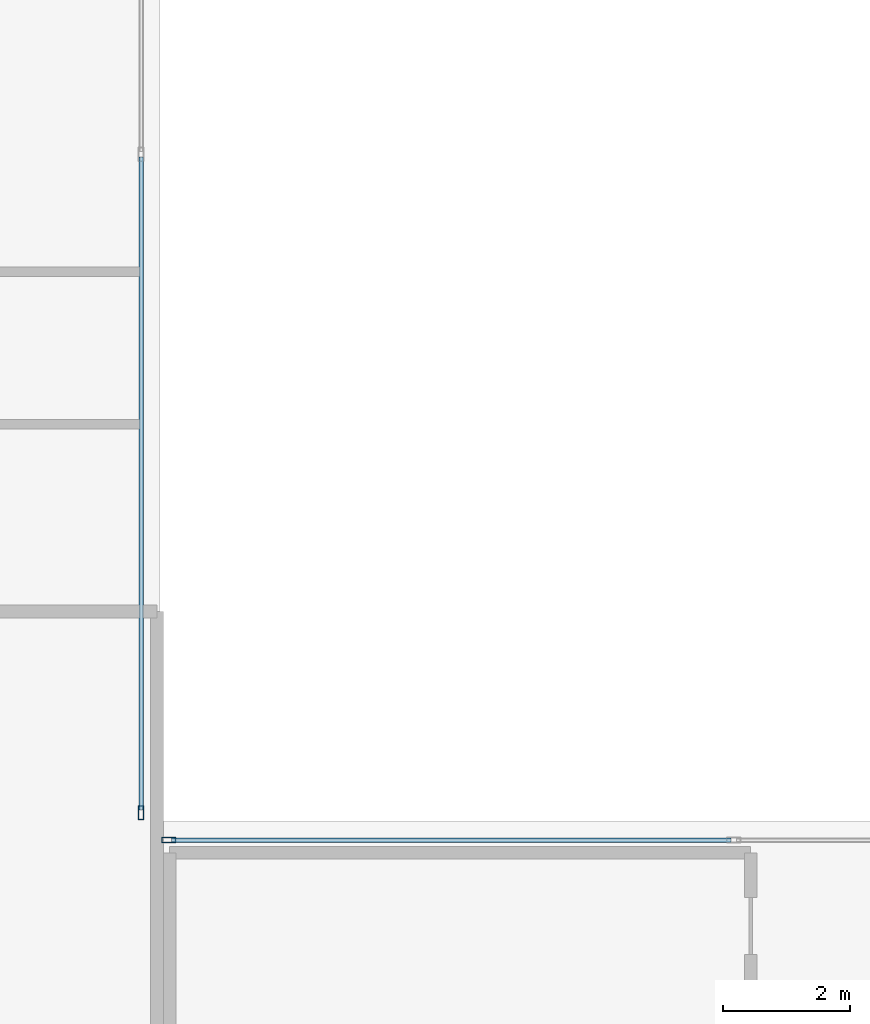
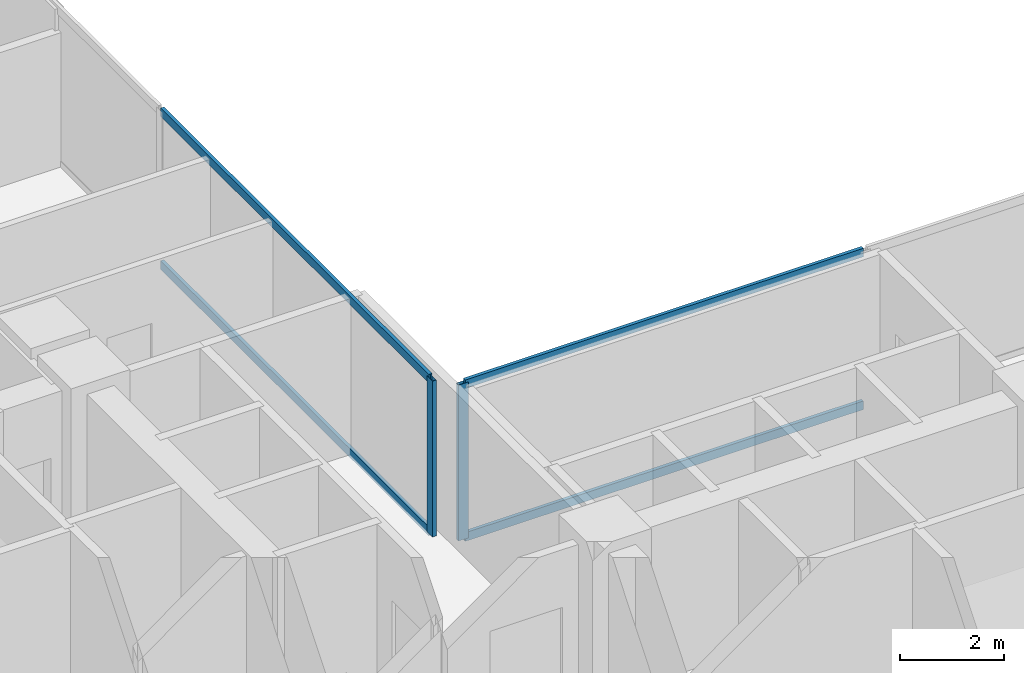
# One storey, part 7 of 27: 6 members, 2 elements without a shape of their own.
"""IFC4 building model written with IfcOpenShell, lengths in metres."""

from ifc_helpers import new_model, si_unit, direction, frame, origin, origin_2d, place, context, subcontext, project, spatial, hollow_rectangle, extrude, material, layer, layer_set, material_profile, profile_set, type_object, element, aggregate, save


model = new_model("IFC4")

# Units and contexts
model_context = context("Model", 3, precision=1e-05, world=origin(), true_north=direction((0.0, 1.0)))
body_context = subcontext(model_context, "Body", "Model", "MODEL_VIEW")
ifc_project = project(units=[si_unit("LENGTHUNIT", "METRE"), si_unit("AREAUNIT", "SQUARE_METRE"), si_unit("VOLUMEUNIT", "CUBIC_METRE"), si_unit("PLANEANGLEUNIT", "RADIAN"), si_unit("MASSUNIT", "GRAM", prefix="KILO"), si_unit("THERMODYNAMICTEMPERATUREUNIT", "KELVIN"), si_unit("POWERUNIT", "WATT")], contexts=[model_context])

# Site, building, storey
site_placement = place(None, origin())
site = spatial("IfcSite", under=ifc_project, at=site_placement, CompositionType="ELEMENT")
building_placement = place(site_placement, origin())
building = spatial("IfcBuilding", under=site, at=building_placement, Name="Svarakhadi Broadcast Tower", CompositionType="ELEMENT")
storey_placement = place(building_placement, frame((0.0, 0.0, 71.39990234375)))
storey = spatial("IfcBuildingStorey", under=building, at=storey_placement, Name="L16", CompositionType="ELEMENT", Elevation=71.39990234375)

# Curtain wall, member
ifc_material = material(Name="Anodised Bronze Aluminium AA 6063-T6", Category="aluminium")
ifc_layer = layer(ifc_material, 0.219970703125)
ifc_layer_set = layer_set([ifc_layer], Name="Anodised Bronze Aluminium AA 6063-T6")
curtain_wall_type = type_object("IfcCurtainWallType", Name="CW_Sys_02", PredefinedType="NOTDEFINED", material=ifc_layer_set)
curtain_wall_1_placement = place(storey_placement, origin())
curtain_wall_1 = element("IfcCurtainWall", 1, at=curtain_wall_1_placement, inside=storey, type_object=curtain_wall_type, Name="L16 Unitised Facade Curtain Wall 09", PredefinedType="NOTDEFINED")
ifc_material_profile_1 = material_profile(ifc_material, hollow_rectangle(XDim=0.0849609375, YDim=0.219970703125, WallThickness=0.006103515625, at=origin_2d()), Name="ALU MULLION 220x85x6")
ifc_profile_set_1 = profile_set([ifc_material_profile_1], Name="Anodised Bronze Aluminium AA 6063-T6")
member_type_1 = type_object("IfcMemberType", Name="CW_Sys_02_Mul", PredefinedType="MULLION", material=ifc_profile_set_1)
member_1_placement = place(storey_placement, frame((23.699951171875, 24.132568359375, 0.0), z_axis=(0.0, 0.0, 1.0), x_axis=(1.0, 0.0, 0.0)))
member_1 = element("IfcMember", 2, at=member_1_placement, type_object=member_type_1, Name="CW-02 mullion 3", PredefinedType="MULLION", context=body_context, shape_type="SweptSolid", body=[
    extrude(hollow_rectangle(XDim=0.0849609375, YDim=0.219970703125, WallThickness=0.006103515625, at=origin_2d()), origin(), (0.0, 0.0, 1.0), 3.650146484375),
])

curtain_wall_2_placement = place(storey_placement, origin())
curtain_wall_2 = element("IfcCurtainWall", 3, at=curtain_wall_2_placement, inside=storey, type_object=curtain_wall_type, Name="L16 Unitised Facade Curtain Wall 10", PredefinedType="NOTDEFINED")
member_2_placement = place(storey_placement, frame((24.132568359375, 23.699951171875, 0.0), z_axis=(0.0, 0.0, 1.0), x_axis=(0.0, 1.0, 0.0)))
member_2 = element("IfcMember", 4, at=member_2_placement, type_object=member_type_1, Name="CW-02 mullion 1", PredefinedType="MULLION", context=body_context, shape_type="SweptSolid", body=[
    extrude(hollow_rectangle(XDim=0.0849609375, YDim=0.219970703125, WallThickness=0.006103515625, at=origin_2d()), origin(), (0.0, 0.0, 1.0), 3.650146484375),
])

# Member
ifc_material_profile_2 = material_profile(ifc_material, hollow_rectangle(XDim=0.074951171875, YDim=0.199951171875, WallThickness=0.0048828125, at=origin_2d()), Name="ALU TRANSOM 200x75x5")
ifc_profile_set_2 = profile_set([ifc_material_profile_2], Name="Anodised Bronze Aluminium AA 6063-T6")
member_type_2 = type_object("IfcMemberType", Name="CW_Sys_02_Trn", PredefinedType="USERDEFINED", material=ifc_profile_set_2)
member_3_placement = place(storey_placement, frame((23.699951171875, 34.45751953125, 0.03759765625), z_axis=(0.0, -1.0, 0.0), x_axis=(1.0, 0.0, 0.0)))
member_3 = element("IfcMember", 5, at=member_3_placement, type_object=member_type_2, Name="CW-02 transom 2.1", ObjectType="TRANSOM", PredefinedType="USERDEFINED", context=body_context, shape_type="SweptSolid", body=[
    extrude(hollow_rectangle(XDim=0.074951171875, YDim=0.199951171875, WallThickness=0.0048828125, at=origin_2d()), origin(), (0.0, 0.0, 1.0), 10.282470703125),
])

member_4_placement = place(storey_placement, frame((23.699951171875, 34.45751953125, 3.612548828125), z_axis=(0.0, -1.0, 0.0), x_axis=(1.0, 0.0, 0.0)))
member_4 = element("IfcMember", 6, at=member_4_placement, type_object=member_type_2, Name="CW-02 transom 2.2", ObjectType="TRANSOM", PredefinedType="USERDEFINED", context=body_context, shape_type="SweptSolid", body=[
    extrude(hollow_rectangle(XDim=0.074951171875, YDim=0.199951171875, WallThickness=0.0048828125, at=origin_2d()), origin(), (0.0, 0.0, 1.0), 10.282470703125),
])

aggregate(curtain_wall_1, [member_1, member_3, member_4])

member_5_placement = place(storey_placement, frame((24.175048828125, 23.699951171875, 0.03759765625), z_axis=(1.0, 0.0, 0.0), x_axis=(0.0, 1.0, 0.0)))
member_5 = element("IfcMember", 7, at=member_5_placement, type_object=member_type_2, Name="CW-02 transom 1.1", ObjectType="TRANSOM", PredefinedType="USERDEFINED", context=body_context, shape_type="SweptSolid", body=[
    extrude(hollow_rectangle(XDim=0.074951171875, YDim=0.199951171875, WallThickness=0.0048828125, at=origin_2d()), origin(), (0.0, 0.0, 1.0), 8.8125),
])

member_6_placement = place(storey_placement, frame((24.175048828125, 23.699951171875, 3.612548828125), z_axis=(1.0, 0.0, 0.0), x_axis=(0.0, 1.0, 0.0)))
member_6 = element("IfcMember", 8, at=member_6_placement, type_object=member_type_2, Name="CW-02 transom 1.2", ObjectType="TRANSOM", PredefinedType="USERDEFINED", context=body_context, shape_type="SweptSolid", body=[
    extrude(hollow_rectangle(XDim=0.074951171875, YDim=0.199951171875, WallThickness=0.0048828125, at=origin_2d()), origin(), (0.0, 0.0, 1.0), 8.8125),
])

aggregate(curtain_wall_2, [member_2, member_5, member_6])

save(model, "model.ifc")
